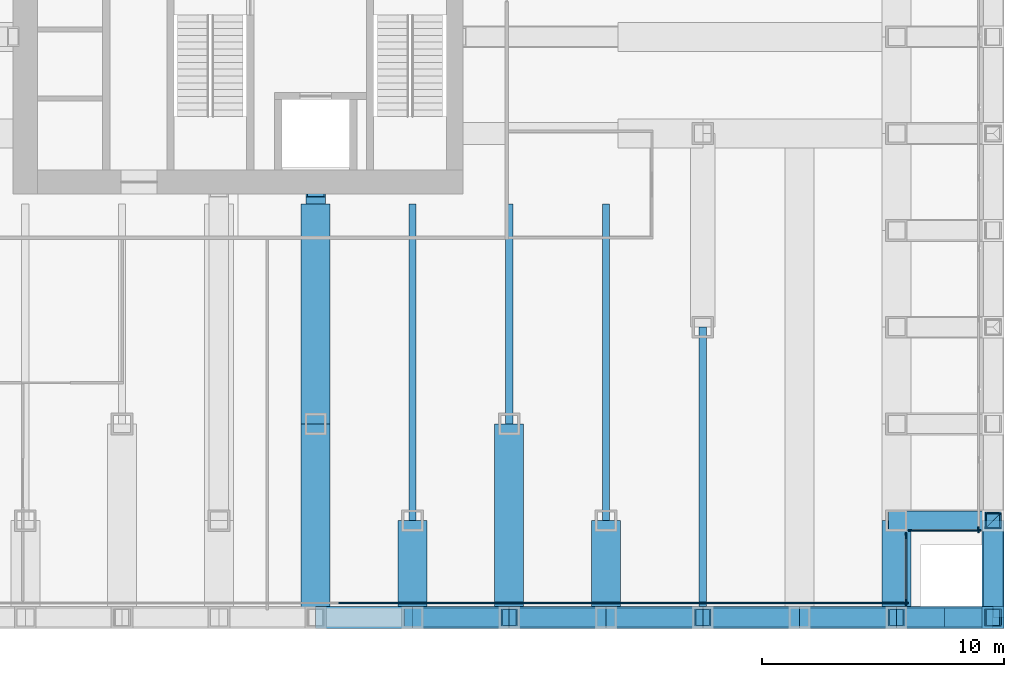
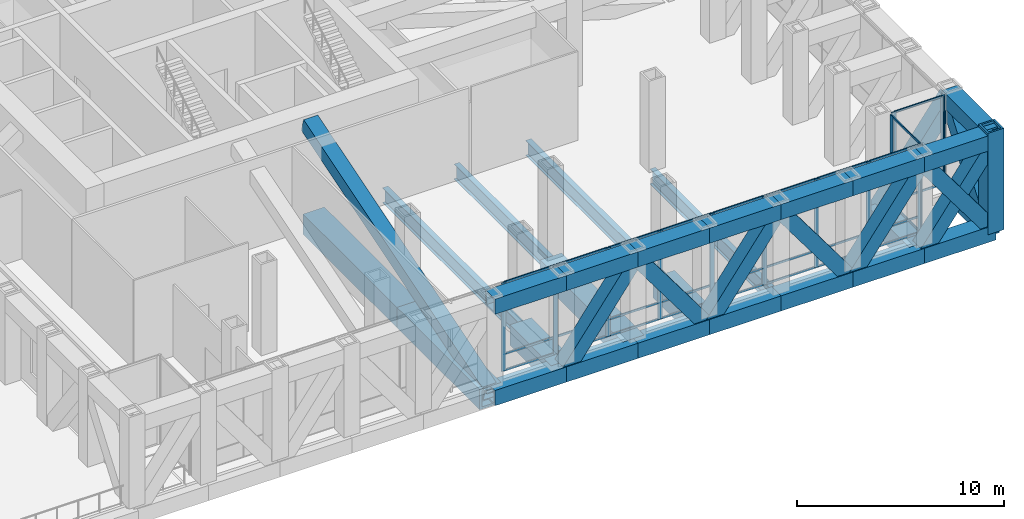
# One storey, part 4 of 14: 53 members, 26 beams, 4 elements without a shape of their own.
"""IFC4 building model written with IfcOpenShell, lengths in metres."""

from ifc_helpers import new_model, si_unit, direction, frame, origin, origin_2d, place, context, subcontext, project, spatial, rectangle, hollow_rectangle, i_section, extrude, material, material_profile, profile_set, type_object, element, aggregate, save


model = new_model("IFC4")

# Units and contexts
model_context = context("Model", 3, precision=1e-05, world=origin(), true_north=direction((0.0, 1.0)))
body_context = subcontext(model_context, "Body", "Model", "MODEL_VIEW")
ifc_project = project(units=[si_unit("LENGTHUNIT", "METRE"), si_unit("AREAUNIT", "SQUARE_METRE"), si_unit("VOLUMEUNIT", "CUBIC_METRE"), si_unit("PLANEANGLEUNIT", "RADIAN"), si_unit("MASSUNIT", "GRAM", prefix="KILO")], contexts=[model_context])

# Site, building, storey
site_placement = place(None, origin())
site = spatial("IfcSite", under=ifc_project, at=site_placement, CompositionType="ELEMENT")
building_placement = place(site_placement, origin())
building = spatial("IfcBuilding", under=site, at=building_placement, Name="Rimbunsela Tower", CompositionType="ELEMENT")
storey_placement = place(building_placement, frame((0.0, 0.0, 71.0)))
storey = spatial("IfcBuildingStorey", under=building, at=storey_placement, Name="L17", CompositionType="ELEMENT", Elevation=71.0)

# Beams
ifc_material_1 = material(Name="Steel BJ 55 (fy 410 MPa)", Category="steel")
ifc_material_profile_1 = material_profile(ifc_material_1, hollow_rectangle(XDim=1.199951171875, YDim=1.199951171875, WallThickness=0.10009765625, at=origin_2d()), Name="BOX 1200x1200x100")
ifc_profile_set_1 = profile_set([ifc_material_profile_1], Name="Steel BJ 55 (fy 410 MPa)")
beam_type_1 = type_object("IfcBeamType", Name="Beam BOX 1200x1200x100", PredefinedType="BEAM", material=ifc_profile_set_1)
beam_1_placement = place(storey_placement, frame((30.0, 8.0, -0.75), z_axis=(0.0, 1.0, 0.0), x_axis=(-1.0, 0.0, 0.0)))
element("IfcBeam", 1, at=beam_1_placement, inside=storey, type_object=beam_type_1, Name="Beam B5 L17", PredefinedType="BEAM", context=body_context, shape_type="SweptSolid", body=[
    extrude(hollow_rectangle(XDim=1.199951171875, YDim=1.199951171875, WallThickness=0.10009765625, at=origin_2d()), origin(), (0.0, 0.0, 1.0), 9.10009765625),
])
ifc_material_2 = material(Name="Steel BJ 55 (fy 410 MPa)", Category="steel")
ifc_material_profile_2 = material_profile(ifc_material_2, hollow_rectangle(XDim=1.199951171875, YDim=1.199951171875, WallThickness=0.125, at=origin_2d()), Name="BOX 1200x1200x125")
ifc_profile_set_2 = profile_set([ifc_material_profile_2], Name="Steel BJ 55 (fy 410 MPa)")
beam_type_2 = type_object("IfcBeamType", Name="Beam BOX 1200x1200x125", PredefinedType="BEAM", material=ifc_profile_set_2)
beam_2_placement = place(storey_placement, frame((30.0, 0.0, -0.75), z_axis=(0.0, 1.0, 0.0), x_axis=(-1.0, 0.0, 0.0)))
element("IfcBeam", 2, at=beam_2_placement, inside=storey, type_object=beam_type_2, Name="Beam B4 L17", PredefinedType="BEAM", context=body_context, shape_type="SweptSolid", body=[
    extrude(hollow_rectangle(XDim=1.199951171875, YDim=1.199951171875, WallThickness=0.125, at=origin_2d()), origin(), (0.0, 0.0, 1.0), 8.0),
])
beam_3_placement = place(storey_placement, frame((34.0, 0.0, -0.75), z_axis=(0.0, 1.0, 0.0), x_axis=(-1.0, 0.0, 0.0)))
element("IfcBeam", 3, at=beam_3_placement, inside=storey, type_object=beam_type_2, Name="Beam B4 L17", PredefinedType="BEAM", context=body_context, shape_type="SweptSolid", body=[
    extrude(hollow_rectangle(XDim=1.199951171875, YDim=1.199951171875, WallThickness=0.125, at=origin_2d()), origin(), (0.0, 0.0, 1.0), 4.0),
])
beam_4_placement = place(storey_placement, frame((38.0, 0.0, -0.75), z_axis=(0.0, 1.0, 0.0), x_axis=(-1.0, 0.0, 0.0)))
element("IfcBeam", 4, at=beam_4_placement, inside=storey, type_object=beam_type_2, Name="Beam B4 L17", PredefinedType="BEAM", context=body_context, shape_type="SweptSolid", body=[
    extrude(hollow_rectangle(XDim=1.199951171875, YDim=1.199951171875, WallThickness=0.125, at=origin_2d()), origin(), (0.0, 0.0, 1.0), 8.0),
])
for number, where, z_axis, x_axis, name in (
    (5, (42.0, 0.0, -0.75), (0.0, 1.0, 0.0), (-1.0, 0.0, 0.0), "Beam B4 L17"),
    (6, (54.0, 0.0, -0.75), (0.0, 1.0, 0.0), (-1.0, 0.0, 0.0), "Beam B4 L17"),
):
    element("IfcBeam", number, at=place(storey_placement, frame(where, z_axis=z_axis, x_axis=x_axis)), inside=storey, type_object=beam_type_2, Name=name, PredefinedType="BEAM", context=body_context, shape_type="SweptSolid", body=[
        extrude(hollow_rectangle(XDim=1.199951171875, YDim=1.199951171875, WallThickness=0.125, at=origin_2d()), origin(), (0.0, 0.0, 1.0), 4.0),
    ])
ifc_material_3 = material(Name="Steel BJ 55 (fy 410 MPa)", Category="steel")
ifc_material_profile_3 = material_profile(ifc_material_3, i_section(OverallWidth=0.300048828125, OverallDepth=0.89990234375, WebThickness=0.01611328125, FlangeThickness=0.028076171875, FilletRadius=0.028076171875, at=origin_2d()), Name="H 900x300x16x28")
ifc_profile_set_3 = profile_set([ifc_material_profile_3], Name="Steel BJ 55 (fy 410 MPa)")
beam_type_3 = type_object("IfcBeamType", Name="Beam H 900x300x16x28", PredefinedType="BEAM", material=ifc_profile_set_3)
beam_5_placement = place(storey_placement, frame((34.0, 4.0, -0.60009765625), z_axis=(0.0, 1.0, 0.0), x_axis=(-1.0, 0.0, 0.0)))
element("IfcBeam", 7, at=beam_5_placement, inside=storey, type_object=beam_type_3, Name="Beam B2 L17", PredefinedType="BEAM", context=body_context, shape_type="SweptSolid", body=[
    extrude(i_section(OverallWidth=0.300048828125, OverallDepth=0.89990234375, WebThickness=0.01611328125, FlangeThickness=0.028076171875, FilletRadius=0.028076171875, at=origin_2d()), origin(), (0.0, 0.0, 1.0), 13.10009765625),
])
beam_6_placement = place(storey_placement, frame((38.0, 8.0, -0.60009765625), z_axis=(0.0, 1.0, 0.0), x_axis=(-1.0, 0.0, 0.0)))
element("IfcBeam", 8, at=beam_6_placement, inside=storey, type_object=beam_type_3, Name="Beam B2 L17", PredefinedType="BEAM", context=body_context, shape_type="SweptSolid", body=[
    extrude(i_section(OverallWidth=0.300048828125, OverallDepth=0.89990234375, WebThickness=0.01611328125, FlangeThickness=0.028076171875, FilletRadius=0.028076171875, at=origin_2d()), origin(), (0.0, 0.0, 1.0), 9.10009765625),
])
beam_7_placement = place(storey_placement, frame((42.0, 4.0, -0.60009765625), z_axis=(0.0, 1.0, 0.0), x_axis=(-1.0, 0.0, 0.0)))
element("IfcBeam", 9, at=beam_7_placement, inside=storey, type_object=beam_type_3, Name="Beam B2 L17", PredefinedType="BEAM", context=body_context, shape_type="SweptSolid", body=[
    extrude(i_section(OverallWidth=0.300048828125, OverallDepth=0.89990234375, WebThickness=0.01611328125, FlangeThickness=0.028076171875, FilletRadius=0.028076171875, at=origin_2d()), origin(), (0.0, 0.0, 1.0), 13.10009765625),
])
beam_8_placement = place(storey_placement, frame((46.0, 0.0, -0.60009765625), z_axis=(0.0, 1.0, 0.0), x_axis=(-1.0, 0.0, 0.0)))
element("IfcBeam", 10, at=beam_8_placement, inside=storey, type_object=beam_type_3, Name="Beam B2 L17", PredefinedType="BEAM", context=body_context, shape_type="SweptSolid", body=[
    extrude(i_section(OverallWidth=0.300048828125, OverallDepth=0.89990234375, WebThickness=0.01611328125, FlangeThickness=0.028076171875, FilletRadius=0.028076171875, at=origin_2d()), origin(), (0.0, 0.0, 1.0), 12.0),
])

# Curtain wall, members
ifc_material_4 = material(Name="Aluminium curtain wall", Category="aluminium")
curtain_wall_type_1 = type_object("IfcCurtainWallType", Name="Corner glazing", PredefinedType="USERDEFINED", material=ifc_material_4)
curtain_wall_1_placement = place(storey_placement, origin())
curtain_wall_1 = element("IfcCurtainWall", 11, at=curtain_wall_1_placement, inside=storey, type_object=curtain_wall_type_1, Name="Corner glazing L17", ObjectType="CORNER GLAZING", PredefinedType="USERDEFINED")
ifc_material_5 = material(Name="Aluminium mullion", Category="aluminium")
ifc_material_profile_4 = material_profile(ifc_material_5, rectangle(XDim=0.06005859375, YDim=0.25, at=origin_2d()), Name="Mullion 60x250")
ifc_profile_set_4 = profile_set([ifc_material_profile_4], Name="Aluminium mullion")
member_type_1 = type_object("IfcMemberType", Name="Curtain wall mullion 60x250", PredefinedType="MULLION", material=ifc_profile_set_4)
member_1_placement = place(storey_placement, frame((54.39990234375, 0.6298828125, 0.0), z_axis=(0.0, 0.0, 1.0), x_axis=(-1.0, 0.0, 0.0)))
member_1 = element("IfcMember", 12, at=member_1_placement, type_object=member_type_1, Name="CW5 mullion 1", PredefinedType="MULLION", context=body_context, shape_type="SweptSolid", body=[
    extrude(rectangle(XDim=0.06005859375, YDim=0.25, at=origin_2d()), origin(), (0.0, 0.0, 1.0), 5.25),
])
member_2_placement = place(storey_placement, frame((54.39990234375, 3.375, 0.0), z_axis=(0.0, 0.0, 1.0), x_axis=(-1.0, 0.0, 0.0)))
member_2 = element("IfcMember", 13, at=member_2_placement, type_object=member_type_1, Name="CW5 mullion 2", PredefinedType="MULLION", context=body_context, shape_type="SweptSolid", body=[
    extrude(rectangle(XDim=0.06005859375, YDim=0.25, at=origin_2d()), origin(), (0.0, 0.0, 1.0), 5.25),
])

ifc_material_6 = material(Name="Aluminium curtain wall", Category="aluminium")
curtain_wall_type_2 = type_object("IfcCurtainWallType", Name="Spandrel wall", PredefinedType="USERDEFINED", material=ifc_material_6)
curtain_wall_2_placement = place(storey_placement, origin())
curtain_wall_2 = element("IfcCurtainWall", 14, at=curtain_wall_2_placement, inside=storey, type_object=curtain_wall_type_2, Name="Spandrel wall L17", ObjectType="SPANDREL WALL", PredefinedType="USERDEFINED")
member_3_placement = place(storey_placement, frame((54.625, 3.60009765625, 0.0), z_axis=(0.0, 0.0, 1.0), x_axis=(0.0, 1.0, 0.0)))
member_3 = element("IfcMember", 15, at=member_3_placement, type_object=member_type_1, Name="CW7 mullion 1", PredefinedType="MULLION", context=body_context, shape_type="SweptSolid", body=[
    extrude(rectangle(XDim=0.06005859375, YDim=0.25, at=origin_2d()), origin(), (0.0, 0.0, 1.0), 5.25),
])
member_4_placement = place(storey_placement, frame((57.3701171875, 3.60009765625, 0.0), z_axis=(0.0, 0.0, 1.0), x_axis=(0.0, 1.0, 0.0)))
member_4 = element("IfcMember", 16, at=member_4_placement, type_object=member_type_1, Name="CW7 mullion 2", PredefinedType="MULLION", context=body_context, shape_type="SweptSolid", body=[
    extrude(rectangle(XDim=0.06005859375, YDim=0.25, at=origin_2d()), origin(), (0.0, 0.0, 1.0), 5.25),
])

# Curtain wall, member
ifc_material_7 = material(Name="Aluminium curtain wall", Category="aluminium")
curtain_wall_type_3 = type_object("IfcCurtainWallType", Name="Plant floor louvre wall", PredefinedType="USERDEFINED", material=ifc_material_7)
curtain_wall_3_placement = place(storey_placement, origin())
curtain_wall_3 = element("IfcCurtainWall", 17, at=curtain_wall_3_placement, inside=storey, type_object=curtain_wall_type_3, Name="Plant floor louvre wall L17", ObjectType="PLANT FLOOR LOUVRE WALL", PredefinedType="USERDEFINED")
member_5_placement = place(storey_placement, frame((57.39990234375, 3.6298828125, 0.0), z_axis=(0.0, 0.0, 1.0), x_axis=(-1.0, 0.0, 0.0)))
member_5 = element("IfcMember", 18, at=member_5_placement, type_object=member_type_1, Name="CW3 mullion 1", PredefinedType="MULLION", context=body_context, shape_type="SweptSolid", body=[
    extrude(rectangle(XDim=0.06005859375, YDim=0.25, at=origin_2d()), origin(), (0.0, 0.0, 1.0), 5.25),
])
aggregate(curtain_wall_3, [member_5])

# Curtain wall, members
curtain_wall_4_placement = place(storey_placement, origin())
curtain_wall_4 = element("IfcCurtainWall", 19, at=curtain_wall_4_placement, inside=storey, type_object=curtain_wall_type_3, Name="Plant floor louvre wall L17", ObjectType="PLANT FLOOR LOUVRE WALL", PredefinedType="USERDEFINED")
member_6_placement = place(storey_placement, frame((31.085693359375, 0.60009765625, 0.0), z_axis=(0.0, 0.0, 1.0), x_axis=(0.0, 1.0, 0.0)))
member_6 = element("IfcMember", 20, at=member_6_placement, type_object=member_type_1, Name="CW3 mullion 7", PredefinedType="MULLION", context=body_context, shape_type="SweptSolid", body=[
    extrude(rectangle(XDim=0.06005859375, YDim=0.25, at=origin_2d()), origin(), (0.0, 0.0, 1.0), 5.25),
])
member_7_placement = place(storey_placement, frame((34.0, 0.60009765625, 0.0), z_axis=(0.0, 0.0, 1.0), x_axis=(0.0, 1.0, 0.0)))
member_7 = element("IfcMember", 21, at=member_7_placement, type_object=member_type_1, Name="CW3 mullion 8", PredefinedType="MULLION", context=body_context, shape_type="SweptSolid", body=[
    extrude(rectangle(XDim=0.06005859375, YDim=0.25, at=origin_2d()), origin(), (0.0, 0.0, 1.0), 5.25),
])
member_8_placement = place(storey_placement, frame((36.914306640625, 0.60009765625, 0.0), z_axis=(0.0, 0.0, 1.0), x_axis=(0.0, 1.0, 0.0)))
member_8 = element("IfcMember", 22, at=member_8_placement, type_object=member_type_1, Name="CW3 mullion 9", PredefinedType="MULLION", context=body_context, shape_type="SweptSolid", body=[
    extrude(rectangle(XDim=0.06005859375, YDim=0.25, at=origin_2d()), origin(), (0.0, 0.0, 1.0), 5.25),
])
member_9_placement = place(storey_placement, frame((39.82861328125, 0.60009765625, 0.0), z_axis=(0.0, 0.0, 1.0), x_axis=(0.0, 1.0, 0.0)))
member_9 = element("IfcMember", 23, at=member_9_placement, type_object=member_type_1, Name="CW3 mullion 10", PredefinedType="MULLION", context=body_context, shape_type="SweptSolid", body=[
    extrude(rectangle(XDim=0.06005859375, YDim=0.25, at=origin_2d()), origin(), (0.0, 0.0, 1.0), 5.25),
])
member_10_placement = place(storey_placement, frame((42.742919921875, 0.60009765625, 0.0), z_axis=(0.0, 0.0, 1.0), x_axis=(0.0, 1.0, 0.0)))
member_10 = element("IfcMember", 24, at=member_10_placement, type_object=member_type_1, Name="CW3 mullion 11", PredefinedType="MULLION", context=body_context, shape_type="SweptSolid", body=[
    extrude(rectangle(XDim=0.06005859375, YDim=0.25, at=origin_2d()), origin(), (0.0, 0.0, 1.0), 5.25),
])
member_11_placement = place(storey_placement, frame((45.6572265625, 0.60009765625, 0.0), z_axis=(0.0, 0.0, 1.0), x_axis=(0.0, 1.0, 0.0)))
member_11 = element("IfcMember", 25, at=member_11_placement, type_object=member_type_1, Name="CW3 mullion 12", PredefinedType="MULLION", context=body_context, shape_type="SweptSolid", body=[
    extrude(rectangle(XDim=0.06005859375, YDim=0.25, at=origin_2d()), origin(), (0.0, 0.0, 1.0), 5.25),
])
member_12_placement = place(storey_placement, frame((48.571533203125, 0.60009765625, 0.0), z_axis=(0.0, 0.0, 1.0), x_axis=(0.0, 1.0, 0.0)))
member_12 = element("IfcMember", 26, at=member_12_placement, type_object=member_type_1, Name="CW3 mullion 13", PredefinedType="MULLION", context=body_context, shape_type="SweptSolid", body=[
    extrude(rectangle(XDim=0.06005859375, YDim=0.25, at=origin_2d()), origin(), (0.0, 0.0, 1.0), 5.25),
])
member_13_placement = place(storey_placement, frame((51.485595703125, 0.60009765625, 0.0), z_axis=(0.0, 0.0, 1.0), x_axis=(0.0, 1.0, 0.0)))
member_13 = element("IfcMember", 27, at=member_13_placement, type_object=member_type_1, Name="CW3 mullion 14", PredefinedType="MULLION", context=body_context, shape_type="SweptSolid", body=[
    extrude(rectangle(XDim=0.06005859375, YDim=0.25, at=origin_2d()), origin(), (0.0, 0.0, 1.0), 5.25),
])
member_14_placement = place(storey_placement, frame((54.3701171875, 0.60009765625, 0.0), z_axis=(0.0, 0.0, 1.0), x_axis=(0.0, 1.0, 0.0)))
member_14 = element("IfcMember", 28, at=member_14_placement, type_object=member_type_1, Name="CW3 mullion 15", PredefinedType="MULLION", context=body_context, shape_type="SweptSolid", body=[
    extrude(rectangle(XDim=0.06005859375, YDim=0.25, at=origin_2d()), origin(), (0.0, 0.0, 1.0), 5.25),
])

# Member
ifc_material_8 = material(Name="Aluminium transom", Category="aluminium")
ifc_material_profile_5 = material_profile(ifc_material_8, rectangle(XDim=0.06005859375, YDim=0.1201171875, at=origin_2d()), Name="Transom 60x120")
ifc_profile_set_5 = profile_set([ifc_material_profile_5], Name="Aluminium transom")
member_type_2 = type_object("IfcMemberType", Name="Curtain wall transom 60x120", PredefinedType="USERDEFINED", material=ifc_profile_set_5)
member_15_placement = place(storey_placement, frame((54.39990234375, 0.659912109375, 0.030029296875), z_axis=(0.0, 1.0, 0.0), x_axis=(-1.0, 0.0, 0.0)))
member_15 = element("IfcMember", 29, at=member_15_placement, type_object=member_type_2, Name="CW5 transom 1.1", ObjectType="TRANSOM", PredefinedType="USERDEFINED", context=body_context, shape_type="SweptSolid", body=[
    extrude(rectangle(XDim=0.06005859375, YDim=0.1201171875, at=origin_2d()), origin(), (0.0, 0.0, 1.0), 2.68505859375),
])

member_16_placement = place(storey_placement, frame((54.39990234375, 0.659912109375, 5.219970703125), z_axis=(0.0, 1.0, 0.0), x_axis=(-1.0, 0.0, 0.0)))
member_16 = element("IfcMember", 30, at=member_16_placement, type_object=member_type_2, Name="CW5 transom 1.2", ObjectType="TRANSOM", PredefinedType="USERDEFINED", context=body_context, shape_type="SweptSolid", body=[
    extrude(rectangle(XDim=0.06005859375, YDim=0.1201171875, at=origin_2d()), origin(), (0.0, 0.0, 1.0), 2.68505859375),
])

aggregate(curtain_wall_1, [member_1, member_2, member_15, member_16])

member_17_placement = place(storey_placement, frame((54.655029296875, 3.60009765625, 0.030029296875), z_axis=(1.0, 0.0, 0.0), x_axis=(0.0, 1.0, 0.0)))
member_17 = element("IfcMember", 31, at=member_17_placement, type_object=member_type_2, Name="CW7 transom 1.1", ObjectType="TRANSOM", PredefinedType="USERDEFINED", context=body_context, shape_type="SweptSolid", body=[
    extrude(rectangle(XDim=0.06005859375, YDim=0.1201171875, at=origin_2d()), origin(), (0.0, 0.0, 1.0), 2.68505859375),
])

member_18_placement = place(storey_placement, frame((54.655029296875, 3.60009765625, 5.219970703125), z_axis=(1.0, 0.0, 0.0), x_axis=(0.0, 1.0, 0.0)))
member_18 = element("IfcMember", 32, at=member_18_placement, type_object=member_type_2, Name="CW7 transom 1.2", ObjectType="TRANSOM", PredefinedType="USERDEFINED", context=body_context, shape_type="SweptSolid", body=[
    extrude(rectangle(XDim=0.06005859375, YDim=0.1201171875, at=origin_2d()), origin(), (0.0, 0.0, 1.0), 2.68505859375),
])

aggregate(curtain_wall_2, [member_3, member_4, member_17, member_18])

member_19_placement = place(storey_placement, frame((31.11572265625, 0.60009765625, 0.030029296875), z_axis=(1.0, 0.0, 0.0), x_axis=(0.0, 1.0, 0.0)))
member_19 = element("IfcMember", 33, at=member_19_placement, type_object=member_type_2, Name="CW3 transom 7.1", ObjectType="TRANSOM", PredefinedType="USERDEFINED", context=body_context, shape_type="SweptSolid", body=[
    extrude(rectangle(XDim=0.06005859375, YDim=0.1201171875, at=origin_2d()), origin(), (0.0, 0.0, 1.0), 2.854248046875),
])

member_20_placement = place(storey_placement, frame((31.11572265625, 0.60009765625, 1.0), z_axis=(1.0, 0.0, 0.0), x_axis=(0.0, 1.0, 0.0)))
member_20 = element("IfcMember", 34, at=member_20_placement, type_object=member_type_2, Name="CW3 transom 7.2", ObjectType="TRANSOM", PredefinedType="USERDEFINED", context=body_context, shape_type="SweptSolid", body=[
    extrude(rectangle(XDim=0.06005859375, YDim=0.1201171875, at=origin_2d()), origin(), (0.0, 0.0, 1.0), 2.854248046875),
])

member_21_placement = place(storey_placement, frame((31.11572265625, 0.60009765625, 5.219970703125), z_axis=(1.0, 0.0, 0.0), x_axis=(0.0, 1.0, 0.0)))
member_21 = element("IfcMember", 35, at=member_21_placement, type_object=member_type_2, Name="CW3 transom 7.3", ObjectType="TRANSOM", PredefinedType="USERDEFINED", context=body_context, shape_type="SweptSolid", body=[
    extrude(rectangle(XDim=0.06005859375, YDim=0.1201171875, at=origin_2d()), origin(), (0.0, 0.0, 1.0), 2.854248046875),
])

member_22_placement = place(storey_placement, frame((34.030029296875, 0.60009765625, 0.030029296875), z_axis=(1.0, 0.0, 0.0), x_axis=(0.0, 1.0, 0.0)))
member_22 = element("IfcMember", 36, at=member_22_placement, type_object=member_type_2, Name="CW3 transom 8.1", ObjectType="TRANSOM", PredefinedType="USERDEFINED", context=body_context, shape_type="SweptSolid", body=[
    extrude(rectangle(XDim=0.06005859375, YDim=0.1201171875, at=origin_2d()), origin(), (0.0, 0.0, 1.0), 2.854248046875),
])

member_23_placement = place(storey_placement, frame((34.030029296875, 0.60009765625, 1.0), z_axis=(1.0, 0.0, 0.0), x_axis=(0.0, 1.0, 0.0)))
member_23 = element("IfcMember", 37, at=member_23_placement, type_object=member_type_2, Name="CW3 transom 8.2", ObjectType="TRANSOM", PredefinedType="USERDEFINED", context=body_context, shape_type="SweptSolid", body=[
    extrude(rectangle(XDim=0.06005859375, YDim=0.1201171875, at=origin_2d()), origin(), (0.0, 0.0, 1.0), 2.854248046875),
])

member_24_placement = place(storey_placement, frame((34.030029296875, 0.60009765625, 5.219970703125), z_axis=(1.0, 0.0, 0.0), x_axis=(0.0, 1.0, 0.0)))
member_24 = element("IfcMember", 38, at=member_24_placement, type_object=member_type_2, Name="CW3 transom 8.3", ObjectType="TRANSOM", PredefinedType="USERDEFINED", context=body_context, shape_type="SweptSolid", body=[
    extrude(rectangle(XDim=0.06005859375, YDim=0.1201171875, at=origin_2d()), origin(), (0.0, 0.0, 1.0), 2.854248046875),
])

member_25_placement = place(storey_placement, frame((36.9443359375, 0.60009765625, 0.030029296875), z_axis=(1.0, 0.0, 0.0), x_axis=(0.0, 1.0, 0.0)))
member_25 = element("IfcMember", 39, at=member_25_placement, type_object=member_type_2, Name="CW3 transom 9.1", ObjectType="TRANSOM", PredefinedType="USERDEFINED", context=body_context, shape_type="SweptSolid", body=[
    extrude(rectangle(XDim=0.06005859375, YDim=0.1201171875, at=origin_2d()), origin(), (0.0, 0.0, 1.0), 2.854248046875),
])

member_26_placement = place(storey_placement, frame((36.9443359375, 0.60009765625, 1.0), z_axis=(1.0, 0.0, 0.0), x_axis=(0.0, 1.0, 0.0)))
member_26 = element("IfcMember", 40, at=member_26_placement, type_object=member_type_2, Name="CW3 transom 9.2", ObjectType="TRANSOM", PredefinedType="USERDEFINED", context=body_context, shape_type="SweptSolid", body=[
    extrude(rectangle(XDim=0.06005859375, YDim=0.1201171875, at=origin_2d()), origin(), (0.0, 0.0, 1.0), 2.854248046875),
])

member_27_placement = place(storey_placement, frame((36.9443359375, 0.60009765625, 5.219970703125), z_axis=(1.0, 0.0, 0.0), x_axis=(0.0, 1.0, 0.0)))
member_27 = element("IfcMember", 41, at=member_27_placement, type_object=member_type_2, Name="CW3 transom 9.3", ObjectType="TRANSOM", PredefinedType="USERDEFINED", context=body_context, shape_type="SweptSolid", body=[
    extrude(rectangle(XDim=0.06005859375, YDim=0.1201171875, at=origin_2d()), origin(), (0.0, 0.0, 1.0), 2.854248046875),
])

member_28_placement = place(storey_placement, frame((39.858642578125, 0.60009765625, 0.030029296875), z_axis=(1.0, 0.0, 0.0), x_axis=(0.0, 1.0, 0.0)))
member_28 = element("IfcMember", 42, at=member_28_placement, type_object=member_type_2, Name="CW3 transom 10.1", ObjectType="TRANSOM", PredefinedType="USERDEFINED", context=body_context, shape_type="SweptSolid", body=[
    extrude(rectangle(XDim=0.06005859375, YDim=0.1201171875, at=origin_2d()), origin(), (0.0, 0.0, 1.0), 2.854248046875),
])

member_29_placement = place(storey_placement, frame((39.858642578125, 0.60009765625, 1.0), z_axis=(1.0, 0.0, 0.0), x_axis=(0.0, 1.0, 0.0)))
member_29 = element("IfcMember", 43, at=member_29_placement, type_object=member_type_2, Name="CW3 transom 10.2", ObjectType="TRANSOM", PredefinedType="USERDEFINED", context=body_context, shape_type="SweptSolid", body=[
    extrude(rectangle(XDim=0.06005859375, YDim=0.1201171875, at=origin_2d()), origin(), (0.0, 0.0, 1.0), 2.854248046875),
])

member_30_placement = place(storey_placement, frame((39.858642578125, 0.60009765625, 5.219970703125), z_axis=(1.0, 0.0, 0.0), x_axis=(0.0, 1.0, 0.0)))
member_30 = element("IfcMember", 44, at=member_30_placement, type_object=member_type_2, Name="CW3 transom 10.3", ObjectType="TRANSOM", PredefinedType="USERDEFINED", context=body_context, shape_type="SweptSolid", body=[
    extrude(rectangle(XDim=0.06005859375, YDim=0.1201171875, at=origin_2d()), origin(), (0.0, 0.0, 1.0), 2.854248046875),
])

member_31_placement = place(storey_placement, frame((42.77294921875, 0.60009765625, 0.030029296875), z_axis=(1.0, 0.0, 0.0), x_axis=(0.0, 1.0, 0.0)))
member_31 = element("IfcMember", 45, at=member_31_placement, type_object=member_type_2, Name="CW3 transom 11.1", ObjectType="TRANSOM", PredefinedType="USERDEFINED", context=body_context, shape_type="SweptSolid", body=[
    extrude(rectangle(XDim=0.06005859375, YDim=0.1201171875, at=origin_2d()), origin(), (0.0, 0.0, 1.0), 2.854248046875),
])

member_32_placement = place(storey_placement, frame((42.77294921875, 0.60009765625, 1.0), z_axis=(1.0, 0.0, 0.0), x_axis=(0.0, 1.0, 0.0)))
member_32 = element("IfcMember", 46, at=member_32_placement, type_object=member_type_2, Name="CW3 transom 11.2", ObjectType="TRANSOM", PredefinedType="USERDEFINED", context=body_context, shape_type="SweptSolid", body=[
    extrude(rectangle(XDim=0.06005859375, YDim=0.1201171875, at=origin_2d()), origin(), (0.0, 0.0, 1.0), 2.854248046875),
])

member_33_placement = place(storey_placement, frame((42.77294921875, 0.60009765625, 5.219970703125), z_axis=(1.0, 0.0, 0.0), x_axis=(0.0, 1.0, 0.0)))
member_33 = element("IfcMember", 47, at=member_33_placement, type_object=member_type_2, Name="CW3 transom 11.3", ObjectType="TRANSOM", PredefinedType="USERDEFINED", context=body_context, shape_type="SweptSolid", body=[
    extrude(rectangle(XDim=0.06005859375, YDim=0.1201171875, at=origin_2d()), origin(), (0.0, 0.0, 1.0), 2.854248046875),
])

member_34_placement = place(storey_placement, frame((45.687255859375, 0.60009765625, 0.030029296875), z_axis=(1.0, 0.0, 0.0), x_axis=(0.0, 1.0, 0.0)))
member_34 = element("IfcMember", 48, at=member_34_placement, type_object=member_type_2, Name="CW3 transom 12.1", ObjectType="TRANSOM", PredefinedType="USERDEFINED", context=body_context, shape_type="SweptSolid", body=[
    extrude(rectangle(XDim=0.06005859375, YDim=0.1201171875, at=origin_2d()), origin(), (0.0, 0.0, 1.0), 2.854248046875),
])

member_35_placement = place(storey_placement, frame((45.687255859375, 0.60009765625, 1.0), z_axis=(1.0, 0.0, 0.0), x_axis=(0.0, 1.0, 0.0)))
member_35 = element("IfcMember", 49, at=member_35_placement, type_object=member_type_2, Name="CW3 transom 12.2", ObjectType="TRANSOM", PredefinedType="USERDEFINED", context=body_context, shape_type="SweptSolid", body=[
    extrude(rectangle(XDim=0.06005859375, YDim=0.1201171875, at=origin_2d()), origin(), (0.0, 0.0, 1.0), 2.854248046875),
])

member_36_placement = place(storey_placement, frame((45.687255859375, 0.60009765625, 5.219970703125), z_axis=(1.0, 0.0, 0.0), x_axis=(0.0, 1.0, 0.0)))
member_36 = element("IfcMember", 50, at=member_36_placement, type_object=member_type_2, Name="CW3 transom 12.3", ObjectType="TRANSOM", PredefinedType="USERDEFINED", context=body_context, shape_type="SweptSolid", body=[
    extrude(rectangle(XDim=0.06005859375, YDim=0.1201171875, at=origin_2d()), origin(), (0.0, 0.0, 1.0), 2.854248046875),
])

member_37_placement = place(storey_placement, frame((48.601318359375, 0.60009765625, 0.030029296875), z_axis=(1.0, 0.0, 0.0), x_axis=(0.0, 1.0, 0.0)))
member_37 = element("IfcMember", 51, at=member_37_placement, type_object=member_type_2, Name="CW3 transom 13.1", ObjectType="TRANSOM", PredefinedType="USERDEFINED", context=body_context, shape_type="SweptSolid", body=[
    extrude(rectangle(XDim=0.06005859375, YDim=0.1201171875, at=origin_2d()), origin(), (0.0, 0.0, 1.0), 2.8544921875),
])

member_38_placement = place(storey_placement, frame((48.601318359375, 0.60009765625, 1.0), z_axis=(1.0, 0.0, 0.0), x_axis=(0.0, 1.0, 0.0)))
member_38 = element("IfcMember", 52, at=member_38_placement, type_object=member_type_2, Name="CW3 transom 13.2", ObjectType="TRANSOM", PredefinedType="USERDEFINED", context=body_context, shape_type="SweptSolid", body=[
    extrude(rectangle(XDim=0.06005859375, YDim=0.1201171875, at=origin_2d()), origin(), (0.0, 0.0, 1.0), 2.8544921875),
])

member_39_placement = place(storey_placement, frame((48.601318359375, 0.60009765625, 5.219970703125), z_axis=(1.0, 0.0, 0.0), x_axis=(0.0, 1.0, 0.0)))
member_39 = element("IfcMember", 53, at=member_39_placement, type_object=member_type_2, Name="CW3 transom 13.3", ObjectType="TRANSOM", PredefinedType="USERDEFINED", context=body_context, shape_type="SweptSolid", body=[
    extrude(rectangle(XDim=0.06005859375, YDim=0.1201171875, at=origin_2d()), origin(), (0.0, 0.0, 1.0), 2.8544921875),
])

member_40_placement = place(storey_placement, frame((51.515625, 0.60009765625, 0.030029296875), z_axis=(1.0, 0.0, 0.0), x_axis=(0.0, 1.0, 0.0)))
member_40 = element("IfcMember", 54, at=member_40_placement, type_object=member_type_2, Name="CW3 transom 14.1", ObjectType="TRANSOM", PredefinedType="USERDEFINED", context=body_context, shape_type="SweptSolid", body=[
    extrude(rectangle(XDim=0.06005859375, YDim=0.1201171875, at=origin_2d()), origin(), (0.0, 0.0, 1.0), 2.824462890625),
])

member_41_placement = place(storey_placement, frame((51.515625, 0.60009765625, 1.0), z_axis=(1.0, 0.0, 0.0), x_axis=(0.0, 1.0, 0.0)))
member_41 = element("IfcMember", 55, at=member_41_placement, type_object=member_type_2, Name="CW3 transom 14.2", ObjectType="TRANSOM", PredefinedType="USERDEFINED", context=body_context, shape_type="SweptSolid", body=[
    extrude(rectangle(XDim=0.06005859375, YDim=0.1201171875, at=origin_2d()), origin(), (0.0, 0.0, 1.0), 2.824462890625),
])

member_42_placement = place(storey_placement, frame((51.515625, 0.60009765625, 5.219970703125), z_axis=(1.0, 0.0, 0.0), x_axis=(0.0, 1.0, 0.0)))
member_42 = element("IfcMember", 56, at=member_42_placement, type_object=member_type_2, Name="CW3 transom 14.3", ObjectType="TRANSOM", PredefinedType="USERDEFINED", context=body_context, shape_type="SweptSolid", body=[
    extrude(rectangle(XDim=0.06005859375, YDim=0.1201171875, at=origin_2d()), origin(), (0.0, 0.0, 1.0), 2.824462890625),
])

aggregate(curtain_wall_4, [member_6, member_7, member_8, member_9, member_10, member_11, member_12, member_13, member_14, member_19, member_20, member_21, member_22, member_23, member_24, member_25, member_26, member_27, member_28, member_29, member_30, member_31, member_32, member_33, member_34, member_35, member_36, member_37, member_38, member_39, member_40, member_41, member_42])

ifc_material_9 = material(Name="Steel BJ 55 (fy 410 MPa)", Category="steel")
ifc_material_profile_6 = material_profile(ifc_material_9, hollow_rectangle(XDim=0.800048828125, YDim=0.800048828125, WallThickness=0.06005859375, at=origin_2d()), Name="BOX 800x800x60")
ifc_profile_set_6 = profile_set([ifc_material_profile_6], Name="Steel BJ 55 (fy 410 MPa)")
member_type_3 = type_object("IfcMemberType", Name="Outrigger brace BOX 800x800x60", PredefinedType="BRACE", material=ifc_profile_set_6)
member_43_placement = place(storey_placement, frame((30.0, 0.0, -0.60009765625), z_axis=(0.0, 0.955540328498, 0.294860442607), x_axis=(-1.0, 0.0, 0.0)))
element("IfcMember", 57, at=member_43_placement, inside=storey, type_object=member_type_3, Name="Outrigger brace OB1 S L17", PredefinedType="BRACE", context=body_context, shape_type="SweptSolid", body=[
    extrude(hollow_rectangle(XDim=0.800048828125, YDim=0.800048828125, WallThickness=0.06005859375, at=origin_2d()), origin(), (0.0, 0.0, 1.0), 18.314208984375),
])

# Beams
ifc_material_10 = material(Name="Steel BJ 55 (fy 410 MPa)", Category="steel")
ifc_material_profile_7 = material_profile(ifc_material_10, hollow_rectangle(XDim=0.89990234375, YDim=0.89990234375, WallThickness=0.10009765625, at=origin_2d()), Name="BOX 900x900x100")
ifc_profile_set_7 = profile_set([ifc_material_profile_7], Name="Steel BJ 55 (fy 410 MPa)")
beam_type_4 = type_object("IfcBeamType", Name="Truss chord BOX 900x900x100", PredefinedType="USERDEFINED", material=ifc_profile_set_7)
for number, where, z_axis, x_axis, name in (
    (58, (30.0, 0.0, 4.800048828125), (1.0, 0.0, 0.0), (0.0, 1.0, 0.0), "Truss top chord TC2 S face L17"),
    (59, (34.0, 0.0, 4.800048828125), (1.0, 0.0, 0.0), (0.0, 1.0, 0.0), "Truss top chord TC2 S face L17"),
    (60, (38.0, 0.0, 4.800048828125), (1.0, 0.0, 0.0), (0.0, 1.0, 0.0), "Truss top chord TC2 S face L17"),
    (61, (42.0, 0.0, 4.800048828125), (1.0, 0.0, 0.0), (0.0, 1.0, 0.0), "Truss top chord TC2 S face L17"),
    (62, (46.0, 0.0, 4.800048828125), (1.0, 0.0, 0.0), (0.0, 1.0, 0.0), "Truss top chord TC2 S face L17"),
    (63, (50.0, 0.0, 4.800048828125), (1.0, 0.0, 0.0), (0.0, 1.0, 0.0), "Truss top chord TC2 S face L17"),
    (64, (54.0, 0.0, 4.800048828125), (1.0, 0.0, 0.0), (0.0, 1.0, 0.0), "Truss top chord TC2 S face L17"),
    (65, (58.0, 0.0, 4.800048828125), (0.0, 1.0, 0.0), (-1.0, 0.0, 0.0), "Truss top chord TC2 E face L17"),
    (66, (30.0, 0.0, -0.60009765625), (1.0, 0.0, 0.0), (0.0, 1.0, 0.0), "Truss bottom chord TC2 S face L17"),
    (67, (34.0, 0.0, -0.60009765625), (1.0, 0.0, 0.0), (0.0, 1.0, 0.0), "Truss bottom chord TC2 S face L17"),
    (68, (38.0, 0.0, -0.60009765625), (1.0, 0.0, 0.0), (0.0, 1.0, 0.0), "Truss bottom chord TC2 S face L17"),
    (69, (42.0, 0.0, -0.60009765625), (1.0, 0.0, 0.0), (0.0, 1.0, 0.0), "Truss bottom chord TC2 S face L17"),
    (70, (46.0, 0.0, -0.60009765625), (1.0, 0.0, 0.0), (0.0, 1.0, 0.0), "Truss bottom chord TC2 S face L17"),
    (71, (50.0, 0.0, -0.60009765625), (1.0, 0.0, 0.0), (0.0, 1.0, 0.0), "Truss bottom chord TC2 S face L17"),
    (72, (54.0, 0.0, -0.60009765625), (1.0, 0.0, 0.0), (0.0, 1.0, 0.0), "Truss bottom chord TC2 S face L17"),
    (73, (58.0, 0.0, -0.60009765625), (0.0, 1.0, 0.0), (-1.0, 0.0, 0.0), "Truss bottom chord TC2 E face L17"),
):
    element("IfcBeam", number, at=place(storey_placement, frame(where, z_axis=z_axis, x_axis=x_axis)), inside=storey, type_object=beam_type_4, Name=name, ObjectType="TRUSS CHORD", PredefinedType="USERDEFINED", context=body_context, shape_type="SweptSolid", body=[
        extrude(hollow_rectangle(XDim=0.89990234375, YDim=0.89990234375, WallThickness=0.10009765625, at=origin_2d()), origin(), (0.0, 0.0, 1.0), 4.0),
    ])

# Members
ifc_material_11 = material(Name="Steel BJ 55 (fy 410 MPa)", Category="steel")
ifc_material_profile_8 = material_profile(ifc_material_11, hollow_rectangle(XDim=0.800048828125, YDim=0.800048828125, WallThickness=0.06005859375, at=origin_2d()), Name="BOX 800x800x60")
ifc_profile_set_8 = profile_set([ifc_material_profile_8], Name="Steel BJ 55 (fy 410 MPa)")
member_type_4 = type_object("IfcMemberType", Name="Truss diagonal BOX 800x800x60", PredefinedType="BRACE", material=ifc_profile_set_8)
for number, where, z_axis, x_axis, name in (
    (74, (34.0, 0.0, -0.60009765625), (0.595217124844, 0.0, 0.803564916041), (0.0, 1.0, 0.0), "Truss diagonal TD2 S face L17"),
    (75, (38.0, 0.0, 4.800048828125), (0.595217124844, 0.0, -0.803564916041), (0.0, 1.0, 0.0), "Truss diagonal TD2 S face L17"),
    (76, (42.0, 0.0, -0.60009765625), (0.595217124844, 0.0, 0.803564916041), (0.0, 1.0, 0.0), "Truss diagonal TD2 S face L17"),
    (77, (46.0, 0.0, 4.800048828125), (0.595217124844, 0.0, -0.803564916041), (0.0, 1.0, 0.0), "Truss diagonal TD2 S face L17"),
    (78, (50.0, 0.0, -0.60009765625), (0.595217124844, 0.0, 0.803564916041), (0.0, 1.0, 0.0), "Truss diagonal TD2 S face L17"),
    (79, (54.0, 0.0, 4.800048828125), (0.595217124844, 0.0, -0.803564916041), (0.0, 1.0, 0.0), "Truss diagonal TD2 S face L17"),
    (80, (58.0, 0.0, -0.60009765625), (0.0, 0.595217124844, 0.803564916041), (-1.0, 0.0, 0.0), "Truss diagonal TD2 E face L17"),
    (81, (54.0, 0.0, -0.60009765625), (0.595217124844, 0.0, 0.803564916041), (0.0, 1.0, 0.0), "Cantilever truss diagonal TD2 17/B L17"),
    (82, (54.0, 4.0, -0.60009765625), (0.595217124844, 0.0, 0.803564916041), (0.0, 1.0, 0.0), "Cantilever truss diagonal TD2 17/C L17"),
):
    element("IfcMember", number, at=place(storey_placement, frame(where, z_axis=z_axis, x_axis=x_axis)), inside=storey, type_object=member_type_4, Name=name, PredefinedType="BRACE", context=body_context, shape_type="SweptSolid", body=[
        extrude(hollow_rectangle(XDim=0.800048828125, YDim=0.800048828125, WallThickness=0.06005859375, at=origin_2d()), origin(), (0.0, 0.0, 1.0), 6.72021484375),
    ])
ifc_material_12 = material(Name="Steel BJ 55 (fy 410 MPa)", Category="steel")
ifc_material_profile_9 = material_profile(ifc_material_12, hollow_rectangle(XDim=0.89990234375, YDim=0.89990234375, WallThickness=0.10009765625, at=origin_2d()), Name="BOX 900x900x100")
ifc_profile_set_9 = profile_set([ifc_material_profile_9], Name="Steel BJ 55 (fy 410 MPa)")
member_type_5 = type_object("IfcMemberType", Name="Truss post BOX 900x900x100", PredefinedType="POST", material=ifc_profile_set_9)
member_44_placement = place(storey_placement, frame((58.0, 0.0, -0.60009765625), z_axis=(0.0, 0.0, 1.0), x_axis=(1.0, 0.0, 0.0)))
element("IfcMember", 83, at=member_44_placement, inside=storey, type_object=member_type_5, Name="Truss post TP2 17/B L17", PredefinedType="POST", context=body_context, shape_type="SweptSolid", body=[
    extrude(hollow_rectangle(XDim=0.89990234375, YDim=0.89990234375, WallThickness=0.10009765625, at=origin_2d()), origin(), (0.0, 0.0, 1.0), 6.0),
])

save(model, "model.ifc")
